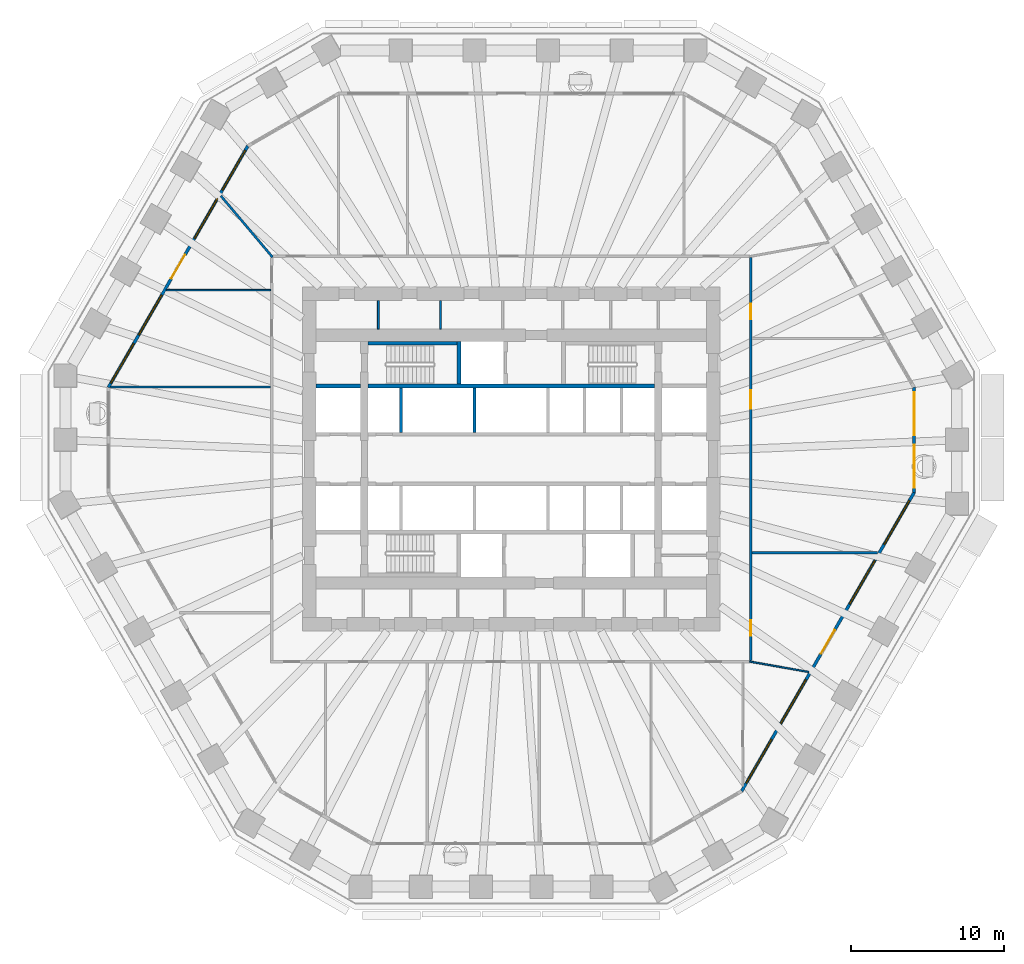
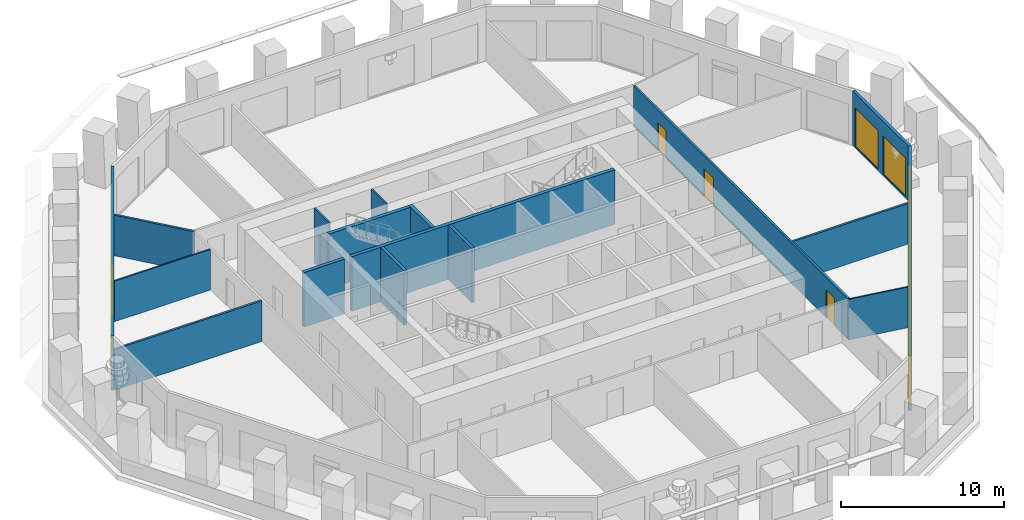
# One storey, part 6 of 12: 17 walls, 12 windows, 5 doors, 17 openings.
"""IFC4 building model written with IfcOpenShell, lengths in metres."""

from ifc_helpers import new_model, si_unit, direction, frame, frame_2d, origin, place, context, subcontext, project, spatial, polyline, rectangle, outline, extrude, material, layer, layer_set, type_object, element, fill, save


model = new_model("IFC4")

# Units and contexts
model_context = context("Model", 3, precision=1e-05, world=origin(), true_north=direction((0.0, 1.0)))
body_context = subcontext(model_context, "Body", "Model", "MODEL_VIEW")
ifc_project = project(units=[si_unit("LENGTHUNIT", "METRE"), si_unit("AREAUNIT", "SQUARE_METRE"), si_unit("VOLUMEUNIT", "CUBIC_METRE"), si_unit("PLANEANGLEUNIT", "RADIAN"), si_unit("MASSUNIT", "GRAM", prefix="KILO")], contexts=[model_context])

# Site, building, storey
site_placement = place(None, origin())
site = spatial("IfcSite", under=ifc_project, at=site_placement, CompositionType="ELEMENT")
building_placement = place(site_placement, origin())
building = spatial("IfcBuilding", under=site, at=building_placement, Name="Frailejon Research Tower", CompositionType="ELEMENT")
storey_placement = place(building_placement, frame((0.0, 0.0, 54.199951171875)))
storey = spatial("IfcBuildingStorey", under=building, at=storey_placement, Name="L12", CompositionType="ELEMENT", Elevation=54.199951171875)

# Walls
ifc_material_1 = material(Name="Plasterboard on steel studs", Category="steel")
ifc_layer_1 = layer(ifc_material_1, 0.125)
ifc_layer_set_1 = layer_set([ifc_layer_1], Name="Core partition 125")
wall_type_1 = type_object("IfcWallType", Name="Core partition 125", PredefinedType="PARTITIONING", material=ifc_layer_set_1)
for number, where, z_axis, x_axis, name in (
    (1, (-8.6875, 8.5, 0.0), (0.0, 0.0, 1.0), (0.0, 1.0, 0.0), "Core partition"),
    (2, (-4.625, 8.5, 0.0), (0.0, 0.0, 1.0), (0.0, 1.0, 0.0), "Core partition"),
):
    element("IfcWall", number, at=place(storey_placement, frame(where, z_axis=z_axis, x_axis=x_axis)), inside=storey, type_object=wall_type_1, Name=name, PredefinedType="PARTITIONING", context=body_context, shape_type="SweptSolid", body=[
        extrude(rectangle(XDim=1.85009765625, YDim=0.125, at=frame_2d((0.925048828125, 0.0))), origin(), (0.0, 0.0, 1.0), 4.10009765625),
    ])

# Wall, openings, doors
ifc_material_2 = material(Name="Gypsum board and masonry partition", Category="masonry")
ifc_layer_2 = layer(ifc_material_2, 0.14990234375)
ifc_layer_set_2 = layer_set([ifc_layer_2], Name="Corridor wall EI 60, gypsum on steel studs 150")
wall_type_2 = type_object("IfcWallType", Name="Corridor wall EI 60, gypsum on steel studs 150", PredefinedType="PARTITIONING", material=ifc_layer_set_2)
wall_1_placement = place(storey_placement, frame((15.64990234375, -13.175048828125, 0.0), z_axis=(0.0, 0.0, 1.0), x_axis=(0.0, 1.0, 0.0)))
wall_1 = element("IfcWall", 3, at=wall_1_placement, inside=storey, type_object=wall_type_2, Name="T:IW:L12:001", PredefinedType="PARTITIONING", context=body_context, shape_type="SweptSolid", body=[
    extrude(rectangle(XDim=26.35009765625, YDim=0.14990234375, at=frame_2d((13.175048828125, 0.0))), origin(), (0.0, 0.0, 1.0), 3.050048828125),
])
opening_1_placement = place(wall_1_placement, frame((16.47265625, 0.0, 0.0)))
opening_1 = element("IfcOpeningElement", 4, at=opening_1_placement, cuts=wall_1, Name="Opening D1419", PredefinedType="OPENING", context=body_context, shape_type="SweptSolid", body=[
    extrude(rectangle(XDim=1.199951171875, YDim=2.10009765625, at=frame_2d((0.60009765625, 1.050048828125))), frame((0.0, 0.0849609375, 0.0), z_axis=(0.0, -1.0, 0.0), x_axis=(1.0, 0.0, 0.0)), (0.0, 0.0, 1.0), 0.169921875),
])
opening_2_placement = place(wall_1_placement, frame((22.318115234375, 0.0, 0.0)))
opening_2 = element("IfcOpeningElement", 5, at=opening_2_placement, cuts=wall_1, Name="Opening D1420", PredefinedType="OPENING", context=body_context, shape_type="SweptSolid", body=[
    extrude(rectangle(XDim=1.0, YDim=2.10009765625, at=frame_2d((0.5, 1.050048828125))), frame((0.0, 0.0849609375, 0.0), z_axis=(0.0, -1.0, 0.0), x_axis=(1.0, 0.0, 0.0)), (0.0, 0.0, 1.0), 0.169921875),
])
opening_3_placement = place(wall_1_placement, frame((1.629638671875, 0.0, 0.0)))
opening_3 = element("IfcOpeningElement", 6, at=opening_3_placement, cuts=wall_1, Name="Opening D1434", PredefinedType="OPENING", context=body_context, shape_type="SweptSolid", body=[
    extrude(rectangle(XDim=1.0, YDim=2.10009765625, at=frame_2d((0.5, 1.050048828125))), frame((0.0, 0.0849609375, 0.0), z_axis=(0.0, -1.0, 0.0), x_axis=(1.0, 0.0, 0.0)), (0.0, 0.0, 1.0), 0.169921875),
])
ifc_material_3 = material(Name="Timber door leaf", Category="wood")
door_type_1 = type_object("IfcDoorType", Name="Door laboratory, timber, vision panel 1200", OperationType="NOTDEFINED", PredefinedType="DOOR", material=ifc_material_3)
door_1_placement = place(opening_1_placement, origin())
door_1 = element("IfcDoor", 7, at=door_1_placement, inside=storey, type_object=door_type_1, Name="D1419", OperationType="DOUBLE_DOOR_SINGLE_SWING", OverallHeight=2.10009765625, OverallWidth=1.199951171875, PredefinedType="DOOR", context=body_context, shape_type="SweptSolid", body=[
    extrude(rectangle(XDim=1.199951171875, YDim=2.10009765625, at=frame_2d((0.60009765625, 1.050048828125))), frame((0.0, 0.02490234375, 0.0), z_axis=(0.0, -1.0, 0.0), x_axis=(1.0, 0.0, 0.0)), (0.0, 0.0, 1.0), 0.050048828125),
])
fill(opening_1, door_1)
ifc_material_4 = material(Name="Timber door leaf", Category="wood")
door_type_2 = type_object("IfcDoorType", Name="Door single leaf, timber, steel frame 1000", OperationType="NOTDEFINED", PredefinedType="DOOR", material=ifc_material_4)
door_2_placement = place(opening_2_placement, origin())
door_2 = element("IfcDoor", 8, at=door_2_placement, inside=storey, type_object=door_type_2, Name="D1420", OperationType="SINGLE_SWING_RIGHT", OverallHeight=2.10009765625, OverallWidth=1.0, PredefinedType="DOOR", context=body_context, shape_type="SweptSolid", body=[
    extrude(rectangle(XDim=1.0, YDim=2.10009765625, at=frame_2d((0.5, 1.050048828125))), frame((0.0, 0.02490234375, 0.0), z_axis=(0.0, -1.0, 0.0), x_axis=(1.0, 0.0, 0.0)), (0.0, 0.0, 1.0), 0.050048828125),
])
fill(opening_2, door_2)
door_3_placement = place(opening_3_placement, origin())
door_3 = element("IfcDoor", 9, at=door_3_placement, inside=storey, type_object=door_type_2, Name="D1434", OperationType="SINGLE_SWING_RIGHT", OverallHeight=2.10009765625, OverallWidth=1.0, PredefinedType="DOOR", context=body_context, shape_type="SweptSolid", body=[
    extrude(rectangle(XDim=1.0, YDim=2.10009765625, at=frame_2d((0.5, 1.050048828125))), frame((0.0, 0.02490234375, 0.0), z_axis=(0.0, -1.0, 0.0), x_axis=(1.0, 0.0, 0.0)), (0.0, 0.0, 1.0), 0.050048828125),
])
fill(opening_3, door_3)

# Walls
ifc_material_5 = material(Name="Gypsum board and masonry partition", Category="masonry")
ifc_layer_3 = layer(ifc_material_5, 0.14990234375)
ifc_layer_set_3 = layer_set([ifc_layer_3], Name="Laboratory partition, blockwork 150")
wall_type_3 = type_object("IfcWallType", Name="Laboratory partition, blockwork 150", PredefinedType="PARTITIONING", material=ifc_layer_set_3)
wall_2_placement = place(storey_placement, frame((15.72509765625, -6.1318359375, 0.0), z_axis=(0.0, 0.0, 1.0), x_axis=(1.0, 0.0, 0.0)))
element("IfcWall", 10, at=wall_2_placement, inside=storey, type_object=wall_type_3, Name="T:IW:L12:006", PredefinedType="PARTITIONING", context=body_context, shape_type="SweptSolid", body=[
    extrude(rectangle(XDim=8.216552734375, YDim=0.14990234375, at=frame_2d((4.1083984375, 0.0))), origin(), (0.0, 0.0, 1.0), 3.050048828125),
])
wall_3_placement = place(storey_placement, frame((-18.98388671875, 17.207763671875, 0.0), z_axis=(0.0, 0.0, 1.0), x_axis=(0.644237418537, -0.764825567405, 0.0)))
element("IfcWall", 11, at=wall_3_placement, inside=storey, type_object=wall_type_3, Name="T:IW:L12:010", PredefinedType="PARTITIONING", context=body_context, shape_type="SweptSolid", body=[
    extrude(rectangle(XDim=5.249755859375, YDim=0.14990234375, at=frame_2d((2.625, 0.0))), origin(), (0.0, 0.0, 1.0), 3.050048828125),
])
wall_4_placement = place(storey_placement, frame((-26.200439453125, 4.70849609375, 0.0), z_axis=(0.0, 0.0, 1.0), x_axis=(1.0, 0.0, 0.0)))
element("IfcWall", 12, at=wall_4_placement, inside=storey, type_object=wall_type_3, Name="T:IW:L12:011", PredefinedType="PARTITIONING", context=body_context, shape_type="SweptSolid", body=[
    extrude(rectangle(XDim=10.475341796875, YDim=0.14990234375, at=frame_2d((5.23779296875, 0.0))), origin(), (0.0, 0.0, 1.0), 3.050048828125),
])
ifc_material_6 = material(Name="Gypsum board and masonry partition", Category="masonry")
ifc_layer_4 = layer(ifc_material_6, 0.10009765625)
ifc_layer_set_4 = layer_set([ifc_layer_4], Name="Partition, gypsum on steel studs 100")
wall_type_4 = type_object("IfcWallType", Name="Partition, gypsum on steel studs 100", PredefinedType="PARTITIONING", material=ifc_layer_set_4)
wall_5_placement = place(storey_placement, frame((-22.545166015625, 11.03955078125, 0.0), z_axis=(0.0, 0.0, 1.0), x_axis=(1.0, 0.0, 0.0)))
element("IfcWall", 13, at=wall_5_placement, inside=storey, type_object=wall_type_4, Name="T:IW:L12:017", PredefinedType="PARTITIONING", context=body_context, shape_type="SweptSolid", body=[
    extrude(rectangle(XDim=6.820068359375, YDim=0.10009765625, at=frame_2d((3.41015625, 0.0))), origin(), (0.0, 0.0, 1.0), 3.050048828125),
])
wall_6_placement = place(storey_placement, frame((15.576171875, -13.237060546875, 0.0), z_axis=(0.0, 0.0, 1.0), x_axis=(0.984816067834, -0.173601015365, 0.0)))
element("IfcWall", 14, at=wall_6_placement, inside=storey, type_object=wall_type_4, Name="T:IW:L12:020", PredefinedType="PARTITIONING", context=body_context, shape_type="SweptSolid", body=[
    extrude(rectangle(XDim=3.92919921875, YDim=0.10009765625, at=frame_2d((1.964599609375, 0.0))), origin(), (0.0, 0.0, 1.0), 3.050048828125),
])
ifc_material_7 = material(Name="Concrete C70/85", Category="concrete")
ifc_layer_5 = layer(ifc_material_7, 0.199951171875)
ifc_layer_set_5 = layer_set([ifc_layer_5], Name="Shaft wall 200 C70/85")
wall_type_5 = type_object("IfcWallType", Name="Shaft wall 200 C70/85", PredefinedType="SOLIDWALL", material=ifc_layer_set_5)
for number, where, z_axis, x_axis, name in (
    (15, (-7.199951171875, 1.75, 0.0), (0.0, 0.0, 1.0), (0.0, 1.0, 0.0), "Shaft wall"),
    (16, (-2.39990234375, 1.75, 0.0), (0.0, 0.0, 1.0), (0.0, 1.0, 0.0), "Shaft wall"),
):
    element("IfcWall", number, at=place(storey_placement, frame(where, z_axis=z_axis, x_axis=x_axis)), inside=storey, type_object=wall_type_5, Name=name, PredefinedType="SOLIDWALL", context=body_context, shape_type="SweptSolid", body=[
        extrude(rectangle(XDim=2.89990234375, YDim=0.199951171875, at=frame_2d((1.449951171875, 0.0))), origin(), (0.0, 0.0, 1.0), 4.10009765625),
    ])
ifc_material_8 = material(Name="Concrete C70/85", Category="concrete")
ifc_layer_6 = layer(ifc_material_8, 0.25)
ifc_layer_set_6 = layer_set([ifc_layer_6], Name="Shaft wall 250 C70/85")
wall_type_6 = type_object("IfcWallType", Name="Shaft wall 250 C70/85", PredefinedType="SOLIDWALL", material=ifc_layer_set_6)
wall_7_placement = place(storey_placement, frame((-12.75, 4.77490234375, 0.0), z_axis=(0.0, 0.0, 1.0), x_axis=(1.0, 0.0, 0.0)))
element("IfcWall", 17, at=wall_7_placement, inside=storey, type_object=wall_type_6, Name="Shaft wall", PredefinedType="SOLIDWALL", context=body_context, shape_type="SweptSolid", body=[
    extrude(rectangle(XDim=2.89990234375, YDim=0.25, at=frame_2d((1.449951171875, 0.0))), origin(), (0.0, 0.0, 1.0), 4.10009765625),
])
wall_8_placement = place(storey_placement, frame((-9.35009765625, 4.77490234375, 0.0), z_axis=(0.0, 0.0, 1.0), x_axis=(1.0, 0.0, 0.0)))
element("IfcWall", 18, at=wall_8_placement, inside=storey, type_object=wall_type_6, Name="Shaft wall", PredefinedType="SOLIDWALL", context=body_context, shape_type="SweptSolid", body=[
    extrude(rectangle(XDim=18.7001953125, YDim=0.25, at=frame_2d((9.35009765625, 0.0))), origin(), (0.0, 0.0, 1.0), 4.10009765625),
])
wall_9_placement = place(storey_placement, frame((-9.35009765625, 7.574951171875, 0.0), z_axis=(0.0, 0.0, 1.0), x_axis=(1.0, 0.0, 0.0)))
element("IfcWall", 19, at=wall_9_placement, inside=storey, type_object=wall_type_6, Name="Shaft wall", PredefinedType="SOLIDWALL", context=body_context, shape_type="SweptSolid", body=[
    extrude(rectangle(XDim=5.800048828125, YDim=0.25, at=frame_2d((2.89990234375, 0.0))), origin(), (0.0, 0.0, 1.0), 4.10009765625),
])
wall_10_placement = place(storey_placement, frame((-3.425048828125, 4.89990234375, 0.0), z_axis=(0.0, 0.0, 1.0), x_axis=(0.0, 1.0, 0.0)))
element("IfcWall", 20, at=wall_10_placement, inside=storey, type_object=wall_type_6, Name="Shaft wall", PredefinedType="SOLIDWALL", context=body_context, shape_type="SweptSolid", body=[
    extrude(rectangle(XDim=2.800048828125, YDim=0.25, at=frame_2d((1.39990234375, 0.0))), origin(), (0.0, 0.0, 1.0), 4.10009765625),
])

# Wall, openings, windows
ifc_material_9 = material(Name="Concrete C40/50 precast window wall panel", Category="concrete")
ifc_layer_7 = layer(ifc_material_9, 0.199951171875)
ifc_layer_set_7 = layer_set([ifc_layer_7], Name="Window wall 200")
wall_type_7 = type_object("IfcWallType", Name="Window wall 200", PredefinedType="SOLIDWALL", material=ifc_layer_set_7)
wall_11_placement = place(storey_placement, frame((26.331298828125, -2.19287109375, 0.0), z_axis=(0.0, 0.0, 1.0), x_axis=(0.0, 1.0, 0.0)))
wall_11 = element("IfcWall", 21, at=wall_11_placement, inside=storey, type_object=wall_type_7, Name="Exterior wall L12", PredefinedType="SOLIDWALL", context=body_context, shape_type="SweptSolid", body=[
    extrude(outline(polyline([(-0.02685546875, -0.10009765625), (1.1279296875, -0.10009765625), (2.28271484375, -0.10009765625), (3.4375, -0.10009765625), (4.592041015625, -0.10009765625), (5.746826171875, -0.10009765625), (6.901611328125, -0.10009765625), (6.847900390625, 0.10009765625), (5.7109375, 0.10009765625), (4.57421875, 0.10009765625), (3.4375, 0.10009765625), (2.300537109375, 0.10009765625), (1.16357421875, 0.10009765625), (0.02685546875, 0.10009765625), (-0.02685546875, -0.10009765625)])), origin(), (0.0, 0.0, 1.0), 4.10009765625),
])
opening_4_placement = place(wall_11_placement, frame((0.318603515625, 0.0, 0.10009765625)))
opening_4 = element("IfcOpeningElement", 22, at=opening_4_placement, cuts=wall_11, Name="Opening W3", PredefinedType="OPENING", context=body_context, shape_type="SweptSolid", body=[
    extrude(rectangle(XDim=2.800048828125, YDim=2.89990234375, at=frame_2d((1.39990234375, 1.449951171875))), frame((0.0, 0.10986328125, 0.0), z_axis=(0.0, -1.0, 0.0), x_axis=(1.0, 0.0, 0.0)), (0.0, 0.0, 1.0), 0.219970703125),
])
opening_5_placement = place(wall_11_placement, frame((3.756103515625, 0.0, 0.10009765625)))
opening_5 = element("IfcOpeningElement", 23, at=opening_5_placement, cuts=wall_11, Name="Opening W3", PredefinedType="OPENING", context=body_context, shape_type="SweptSolid", body=[
    extrude(rectangle(XDim=2.800048828125, YDim=2.89990234375, at=frame_2d((1.39990234375, 1.449951171875))), frame((0.0, 0.10986328125, 0.0), z_axis=(0.0, -1.0, 0.0), x_axis=(1.0, 0.0, 0.0)), (0.0, 0.0, 1.0), 0.219970703125),
])
ifc_material_10 = material(Name="Aluminium framed double glazing", Category="aluminium")
window_type_1 = type_object("IfcWindowType", Name="Window 2800x2900", PartitioningType="SINGLE_PANEL", PredefinedType="WINDOW", material=ifc_material_10)
window_1_placement = place(opening_4_placement, origin())
window_1 = element("IfcWindow", 24, at=window_1_placement, inside=storey, type_object=window_type_1, Name="Window L12", OverallHeight=2.89990234375, OverallWidth=2.800048828125, PartitioningType="SINGLE_PANEL", PredefinedType="WINDOW", context=body_context, shape_type="SweptSolid", body=[
    extrude(rectangle(XDim=2.800048828125, YDim=2.89990234375, at=frame_2d((1.39990234375, 1.449951171875))), frame((0.0, 0.030029296875, 0.0), z_axis=(0.0, -1.0, 0.0), x_axis=(1.0, 0.0, 0.0)), (0.0, 0.0, 1.0), 0.06005859375),
])
fill(opening_4, window_1)
window_2_placement = place(opening_5_placement, origin())
window_2 = element("IfcWindow", 25, at=window_2_placement, inside=storey, type_object=window_type_1, Name="Window L12", OverallHeight=2.89990234375, OverallWidth=2.800048828125, PartitioningType="SINGLE_PANEL", PredefinedType="WINDOW", context=body_context, shape_type="SweptSolid", body=[
    extrude(rectangle(XDim=2.800048828125, YDim=2.89990234375, at=frame_2d((1.39990234375, 1.449951171875))), frame((0.0, 0.030029296875, 0.0), z_axis=(0.0, -1.0, 0.0), x_axis=(1.0, 0.0, 0.0)), (0.0, 0.0, 1.0), 0.06005859375),
])
fill(opening_5, window_2)

# Wall, openings, door, windows
wall_12_placement = place(storey_placement, frame((-17.22021484375, 20.462646484375, 0.0), z_axis=(0.0, 0.0, 1.0), x_axis=(-0.500002344326, -0.866024050283, 0.0)))
wall_12 = element("IfcWall", 26, at=wall_12_placement, inside=storey, type_object=wall_type_7, Name="Exterior wall L12", PredefinedType="SOLIDWALL", context=body_context, shape_type="SweptSolid", body=[
    extrude(outline(polyline([(-0.02685546875, -0.10009765625), (0.988525390625, -0.10009765625), (2.00390625, -0.10009765625), (3.01904296875, -0.10009765625), (4.034423828125, -0.10009765625), (5.0498046875, -0.10009765625), (6.065185546875, -0.10009765625), (7.080322265625, -0.10009765625), (8.095703125, -0.10009765625), (9.111083984375, -0.10009765625), (10.12646484375, -0.10009765625), (11.141845703125, -0.10009765625), (12.156982421875, -0.10009765625), (13.17236328125, -0.10009765625), (14.187744140625, -0.10009765625), (15.203125, -0.10009765625), (16.21826171875, -0.10009765625), (17.233642578125, -0.10009765625), (18.2490234375, -0.10009765625), (18.1953125, 0.10009765625), (17.18603515625, 0.10009765625), (16.176513671875, 0.10009765625), (15.167236328125, 0.10009765625), (14.157958984375, 0.10009765625), (13.1484375, 0.10009765625), (12.13916015625, 0.10009765625), (11.1298828125, 0.10009765625), (10.120361328125, 0.10009765625), (9.111083984375, 0.10009765625), (8.101806640625, 0.10009765625), (7.09228515625, 0.10009765625), (6.0830078125, 0.10009765625), (5.07373046875, 0.10009765625), (4.064208984375, 0.10009765625), (3.054931640625, 0.10009765625), (2.045654296875, 0.10009765625), (1.0361328125, 0.10009765625), (0.02685546875, 0.10009765625), (-0.02685546875, -0.10009765625)])), origin(), (0.0, 0.0, 1.0), 4.10009765625),
])
opening_6_placement = place(wall_12_placement, frame((0.322265625, 0.0, 0.10009765625)))
opening_6 = element("IfcOpeningElement", 27, at=opening_6_placement, cuts=wall_12, Name="Opening W4", PredefinedType="OPENING", context=body_context, shape_type="SweptSolid", body=[
    extrude(rectangle(XDim=3.0, YDim=2.89990234375, at=frame_2d((1.5, 1.449951171875))), frame((0.0, 0.10986328125, 0.0), z_axis=(0.0, -1.0, 0.0), x_axis=(1.0, 0.0, 0.0)), (0.0, 0.0, 1.0), 0.219970703125),
])
opening_7_placement = place(wall_12_placement, frame((3.966796875, 0.0, 0.10009765625)))
opening_7 = element("IfcOpeningElement", 28, at=opening_7_placement, cuts=wall_12, Name="Opening W4", PredefinedType="OPENING", context=body_context, shape_type="SweptSolid", body=[
    extrude(rectangle(XDim=3.0, YDim=2.89990234375, at=frame_2d((1.5, 1.449951171875))), frame((0.0, 0.10986328125, 0.0), z_axis=(0.0, -1.0, 0.0), x_axis=(1.0, 0.0, 0.0)), (0.0, 0.0, 1.0), 0.219970703125),
])
opening_8_placement = place(wall_12_placement, frame((8.211181640625, 0.0, 0.0)))
opening_8 = element("IfcOpeningElement", 29, at=opening_8_placement, cuts=wall_12, Name="Opening LG12-3", PredefinedType="OPENING", context=body_context, shape_type="SweptSolid", body=[
    extrude(rectangle(XDim=1.800048828125, YDim=2.39990234375, at=frame_2d((0.89990234375, 1.199951171875))), frame((0.0, 0.10986328125, 0.0), z_axis=(0.0, -1.0, 0.0), x_axis=(1.0, 0.0, 0.0)), (0.0, 0.0, 1.0), 0.219970703125),
])
opening_9_placement = place(wall_12_placement, frame((8.211181640625, 0.0, 2.550048828125)))
opening_9 = element("IfcOpeningElement", 30, at=opening_9_placement, cuts=wall_12, Name="Opening W1", PredefinedType="OPENING", context=body_context, shape_type="SweptSolid", body=[
    extrude(rectangle(XDim=1.800048828125, YDim=0.449951171875, at=frame_2d((0.89990234375, 0.22509765625))), frame((0.0, 0.10986328125, 0.0), z_axis=(0.0, -1.0, 0.0), x_axis=(1.0, 0.0, 0.0)), (0.0, 0.0, 1.0), 0.219970703125),
])
opening_10_placement = place(wall_12_placement, frame((11.255615234375, 0.0, 0.10009765625)))
opening_10 = element("IfcOpeningElement", 31, at=opening_10_placement, cuts=wall_12, Name="Opening W4", PredefinedType="OPENING", context=body_context, shape_type="SweptSolid", body=[
    extrude(rectangle(XDim=3.0, YDim=2.89990234375, at=frame_2d((1.5, 1.449951171875))), frame((0.0, 0.10986328125, 0.0), z_axis=(0.0, -1.0, 0.0), x_axis=(1.0, 0.0, 0.0)), (0.0, 0.0, 1.0), 0.219970703125),
])
opening_11_placement = place(wall_12_placement, frame((14.89990234375, 0.0, 0.10009765625)))
opening_11 = element("IfcOpeningElement", 32, at=opening_11_placement, cuts=wall_12, Name="Opening W4", PredefinedType="OPENING", context=body_context, shape_type="SweptSolid", body=[
    extrude(rectangle(XDim=3.0, YDim=2.89990234375, at=frame_2d((1.5, 1.449951171875))), frame((0.0, 0.10986328125, 0.0), z_axis=(0.0, -1.0, 0.0), x_axis=(1.0, 0.0, 0.0)), (0.0, 0.0, 1.0), 0.219970703125),
])
ifc_material_11 = material(Name="Aluminium framed glazed door leaf", Category="aluminium")
door_type_3 = type_object("IfcDoorType", Name="Loggia door 1800x2400", OperationType="DOUBLE_DOOR_SINGLE_SWING", PredefinedType="DOOR", material=ifc_material_11)
door_4_placement = place(opening_8_placement, origin())
door_4 = element("IfcDoor", 33, at=door_4_placement, inside=storey, type_object=door_type_3, Name="Door LG12-3", OperationType="DOUBLE_DOOR_SINGLE_SWING", OverallHeight=2.39990234375, OverallWidth=1.800048828125, PredefinedType="DOOR", context=body_context, shape_type="SweptSolid", body=[
    extrude(rectangle(XDim=1.800048828125, YDim=2.39990234375, at=frame_2d((0.89990234375, 1.199951171875))), frame((0.0, 0.02490234375, 0.0), z_axis=(0.0, -1.0, 0.0), x_axis=(1.0, 0.0, 0.0)), (0.0, 0.0, 1.0), 0.050048828125),
])
fill(opening_8, door_4)
ifc_material_12 = material(Name="Aluminium framed double glazing", Category="aluminium")
window_type_2 = type_object("IfcWindowType", Name="Window 1800x450", PartitioningType="SINGLE_PANEL", PredefinedType="WINDOW", material=ifc_material_12)
window_3_placement = place(opening_9_placement, origin())
window_3 = element("IfcWindow", 34, at=window_3_placement, inside=storey, type_object=window_type_2, Name="Window L12", OverallHeight=0.449951171875, OverallWidth=1.800048828125, PartitioningType="SINGLE_PANEL", PredefinedType="WINDOW", context=body_context, shape_type="SweptSolid", body=[
    extrude(rectangle(XDim=1.800048828125, YDim=0.449951171875, at=frame_2d((0.89990234375, 0.22509765625))), frame((0.0, 0.030029296875, 0.0), z_axis=(0.0, -1.0, 0.0), x_axis=(1.0, 0.0, 0.0)), (0.0, 0.0, 1.0), 0.06005859375),
])
fill(opening_9, window_3)
ifc_material_13 = material(Name="Aluminium framed double glazing", Category="aluminium")
window_type_3 = type_object("IfcWindowType", Name="Window 3000x2900", PartitioningType="SINGLE_PANEL", PredefinedType="WINDOW", material=ifc_material_13)
window_4_placement = place(opening_6_placement, origin())
window_4 = element("IfcWindow", 35, at=window_4_placement, inside=storey, type_object=window_type_3, Name="Window L12", OverallHeight=2.89990234375, OverallWidth=3.0, PartitioningType="SINGLE_PANEL", PredefinedType="WINDOW", context=body_context, shape_type="SweptSolid", body=[
    extrude(rectangle(XDim=3.0, YDim=2.89990234375, at=frame_2d((1.5, 1.449951171875))), frame((0.0, 0.030029296875, 0.0), z_axis=(0.0, -1.0, 0.0), x_axis=(1.0, 0.0, 0.0)), (0.0, 0.0, 1.0), 0.06005859375),
])
fill(opening_6, window_4)
window_5_placement = place(opening_7_placement, origin())
window_5 = element("IfcWindow", 36, at=window_5_placement, inside=storey, type_object=window_type_3, Name="Window L12", OverallHeight=2.89990234375, OverallWidth=3.0, PartitioningType="SINGLE_PANEL", PredefinedType="WINDOW", context=body_context, shape_type="SweptSolid", body=[
    extrude(rectangle(XDim=3.0, YDim=2.89990234375, at=frame_2d((1.5, 1.449951171875))), frame((0.0, 0.030029296875, 0.0), z_axis=(0.0, -1.0, 0.0), x_axis=(1.0, 0.0, 0.0)), (0.0, 0.0, 1.0), 0.06005859375),
])
fill(opening_7, window_5)
window_6_placement = place(opening_10_placement, origin())
window_6 = element("IfcWindow", 37, at=window_6_placement, inside=storey, type_object=window_type_3, Name="Window L12", OverallHeight=2.89990234375, OverallWidth=3.0, PartitioningType="SINGLE_PANEL", PredefinedType="WINDOW", context=body_context, shape_type="SweptSolid", body=[
    extrude(rectangle(XDim=3.0, YDim=2.89990234375, at=frame_2d((1.5, 1.449951171875))), frame((0.0, 0.030029296875, 0.0), z_axis=(0.0, -1.0, 0.0), x_axis=(1.0, 0.0, 0.0)), (0.0, 0.0, 1.0), 0.06005859375),
])
fill(opening_10, window_6)
window_7_placement = place(opening_11_placement, origin())
window_7 = element("IfcWindow", 38, at=window_7_placement, inside=storey, type_object=window_type_3, Name="Window L12", OverallHeight=2.89990234375, OverallWidth=3.0, PartitioningType="SINGLE_PANEL", PredefinedType="WINDOW", context=body_context, shape_type="SweptSolid", body=[
    extrude(rectangle(XDim=3.0, YDim=2.89990234375, at=frame_2d((1.5, 1.449951171875))), frame((0.0, 0.030029296875, 0.0), z_axis=(0.0, -1.0, 0.0), x_axis=(1.0, 0.0, 0.0)), (0.0, 0.0, 1.0), 0.06005859375),
])
fill(opening_11, window_7)

wall_13_placement = place(storey_placement, frame((15.064697265625, -21.707275390625, 0.0), z_axis=(0.0, 0.0, 1.0), x_axis=(0.499998501835, 0.866026268748, 0.0)))
wall_13 = element("IfcWall", 39, at=wall_13_placement, inside=storey, type_object=wall_type_7, Name="Exterior wall L12", PredefinedType="SOLIDWALL", context=body_context, shape_type="SweptSolid", body=[
    extrude(outline(polyline([(-0.02685546875, -0.10009765625), (0.999755859375, -0.10009765625), (2.026611328125, -0.10009765625), (3.05322265625, -0.10009765625), (4.079833984375, -0.10009765625), (5.1064453125, -0.10009765625), (6.13330078125, -0.10009765625), (7.159912109375, -0.10009765625), (8.1865234375, -0.10009765625), (9.213134765625, -0.10009765625), (10.239990234375, -0.10009765625), (11.2666015625, -0.10009765625), (12.293212890625, -0.10009765625), (13.320068359375, -0.10009765625), (14.3466796875, -0.10009765625), (15.373291015625, -0.10009765625), (16.39990234375, -0.10009765625), (17.4267578125, -0.10009765625), (18.453369140625, -0.10009765625), (19.47998046875, -0.10009765625), (20.506591796875, -0.10009765625), (21.533447265625, -0.10009765625), (22.56005859375, -0.10009765625), (22.50634765625, 0.10009765625), (21.484619140625, 0.10009765625), (20.462646484375, 0.10009765625), (19.44091796875, 0.10009765625), (18.419189453125, 0.10009765625), (17.3974609375, 0.10009765625), (16.37548828125, 0.10009765625), (15.353759765625, 0.10009765625), (14.33203125, 0.10009765625), (13.310302734375, 0.10009765625), (12.288330078125, 0.10009765625), (11.2666015625, 0.10009765625), (10.244873046875, 0.10009765625), (9.222900390625, 0.10009765625), (8.201171875, 0.10009765625), (7.179443359375, 0.10009765625), (6.15771484375, 0.10009765625), (5.1357421875, 0.10009765625), (4.114013671875, 0.10009765625), (3.09228515625, 0.10009765625), (2.070556640625, 0.10009765625), (1.048583984375, 0.10009765625), (0.02685546875, 0.10009765625), (-0.02685546875, -0.10009765625)])), origin(), (0.0, 0.0, 1.0), 4.10009765625),
])
opening_12_placement = place(wall_13_placement, frame((0.603271484375, 0.0, 0.10009765625)))
opening_12 = element("IfcOpeningElement", 40, at=opening_12_placement, cuts=wall_13, Name="Opening W5", PredefinedType="OPENING", context=body_context, shape_type="SweptSolid", body=[
    extrude(rectangle(XDim=3.300048828125, YDim=2.89990234375, at=frame_2d((1.64990234375, 1.449951171875))), frame((0.0, 0.10986328125, 0.0), z_axis=(0.0, -1.0, 0.0), x_axis=(1.0, 0.0, 0.0)), (0.0, 0.0, 1.0), 0.219970703125),
])
opening_13_placement = place(wall_13_placement, frame((5.110107421875, 0.0, 0.10009765625)))
opening_13 = element("IfcOpeningElement", 41, at=opening_13_placement, cuts=wall_13, Name="Opening W5", PredefinedType="OPENING", context=body_context, shape_type="SweptSolid", body=[
    extrude(rectangle(XDim=3.300048828125, YDim=2.89990234375, at=frame_2d((1.64990234375, 1.449951171875))), frame((0.0, 0.10986328125, 0.0), z_axis=(0.0, -1.0, 0.0), x_axis=(1.0, 0.0, 0.0)), (0.0, 0.0, 1.0), 0.219970703125),
])
opening_14_placement = place(wall_13_placement, frame((10.36669921875, 0.0, 0.0)))
opening_14 = element("IfcOpeningElement", 42, at=opening_14_placement, cuts=wall_13, Name="Opening LG12-6", PredefinedType="OPENING", context=body_context, shape_type="SweptSolid", body=[
    extrude(rectangle(XDim=1.800048828125, YDim=2.39990234375, at=frame_2d((0.89990234375, 1.199951171875))), frame((0.0, 0.10986328125, 0.0), z_axis=(0.0, -1.0, 0.0), x_axis=(1.0, 0.0, 0.0)), (0.0, 0.0, 1.0), 0.219970703125),
])
opening_15_placement = place(wall_13_placement, frame((10.36669921875, 0.0, 2.550048828125)))
opening_15 = element("IfcOpeningElement", 43, at=opening_15_placement, cuts=wall_13, Name="Opening W1", PredefinedType="OPENING", context=body_context, shape_type="SweptSolid", body=[
    extrude(rectangle(XDim=1.800048828125, YDim=0.449951171875, at=frame_2d((0.89990234375, 0.22509765625))), frame((0.0, 0.10986328125, 0.0), z_axis=(0.0, -1.0, 0.0), x_axis=(1.0, 0.0, 0.0)), (0.0, 0.0, 1.0), 0.219970703125),
])
opening_16_placement = place(wall_13_placement, frame((14.123291015625, 0.0, 0.10009765625)))
opening_16 = element("IfcOpeningElement", 44, at=opening_16_placement, cuts=wall_13, Name="Opening W5", PredefinedType="OPENING", context=body_context, shape_type="SweptSolid", body=[
    extrude(rectangle(XDim=3.300048828125, YDim=2.89990234375, at=frame_2d((1.64990234375, 1.449951171875))), frame((0.0, 0.10986328125, 0.0), z_axis=(0.0, -1.0, 0.0), x_axis=(1.0, 0.0, 0.0)), (0.0, 0.0, 1.0), 0.219970703125),
])
opening_17_placement = place(wall_13_placement, frame((18.6298828125, 0.0, 0.10009765625)))
opening_17 = element("IfcOpeningElement", 45, at=opening_17_placement, cuts=wall_13, Name="Opening W5", PredefinedType="OPENING", context=body_context, shape_type="SweptSolid", body=[
    extrude(rectangle(XDim=3.300048828125, YDim=2.89990234375, at=frame_2d((1.64990234375, 1.449951171875))), frame((0.0, 0.10986328125, 0.0), z_axis=(0.0, -1.0, 0.0), x_axis=(1.0, 0.0, 0.0)), (0.0, 0.0, 1.0), 0.219970703125),
])
door_5_placement = place(opening_14_placement, origin())
door_5 = element("IfcDoor", 46, at=door_5_placement, inside=storey, type_object=door_type_3, Name="Door LG12-6", OperationType="DOUBLE_DOOR_SINGLE_SWING", OverallHeight=2.39990234375, OverallWidth=1.800048828125, PredefinedType="DOOR", context=body_context, shape_type="SweptSolid", body=[
    extrude(rectangle(XDim=1.800048828125, YDim=2.39990234375, at=frame_2d((0.89990234375, 1.199951171875))), frame((0.0, 0.02490234375, 0.0), z_axis=(0.0, -1.0, 0.0), x_axis=(1.0, 0.0, 0.0)), (0.0, 0.0, 1.0), 0.050048828125),
])
fill(opening_14, door_5)
window_8_placement = place(opening_15_placement, origin())
window_8 = element("IfcWindow", 47, at=window_8_placement, inside=storey, type_object=window_type_2, Name="Window L12", OverallHeight=0.449951171875, OverallWidth=1.800048828125, PartitioningType="SINGLE_PANEL", PredefinedType="WINDOW", context=body_context, shape_type="SweptSolid", body=[
    extrude(rectangle(XDim=1.800048828125, YDim=0.449951171875, at=frame_2d((0.89990234375, 0.22509765625))), frame((0.0, 0.030029296875, 0.0), z_axis=(0.0, -1.0, 0.0), x_axis=(1.0, 0.0, 0.0)), (0.0, 0.0, 1.0), 0.06005859375),
])
fill(opening_15, window_8)
ifc_material_14 = material(Name="Aluminium framed double glazing", Category="aluminium")
window_type_4 = type_object("IfcWindowType", Name="Window 3300x2900", PartitioningType="SINGLE_PANEL", PredefinedType="WINDOW", material=ifc_material_14)
window_9_placement = place(opening_12_placement, origin())
window_9 = element("IfcWindow", 48, at=window_9_placement, inside=storey, type_object=window_type_4, Name="Window L12", OverallHeight=2.89990234375, OverallWidth=3.300048828125, PartitioningType="SINGLE_PANEL", PredefinedType="WINDOW", context=body_context, shape_type="SweptSolid", body=[
    extrude(rectangle(XDim=3.300048828125, YDim=2.89990234375, at=frame_2d((1.64990234375, 1.449951171875))), frame((0.0, 0.030029296875, 0.0), z_axis=(0.0, -1.0, 0.0), x_axis=(1.0, 0.0, 0.0)), (0.0, 0.0, 1.0), 0.06005859375),
])
fill(opening_12, window_9)
window_10_placement = place(opening_13_placement, origin())
window_10 = element("IfcWindow", 49, at=window_10_placement, inside=storey, type_object=window_type_4, Name="Window L12", OverallHeight=2.89990234375, OverallWidth=3.300048828125, PartitioningType="SINGLE_PANEL", PredefinedType="WINDOW", context=body_context, shape_type="SweptSolid", body=[
    extrude(rectangle(XDim=3.300048828125, YDim=2.89990234375, at=frame_2d((1.64990234375, 1.449951171875))), frame((0.0, 0.030029296875, 0.0), z_axis=(0.0, -1.0, 0.0), x_axis=(1.0, 0.0, 0.0)), (0.0, 0.0, 1.0), 0.06005859375),
])
fill(opening_13, window_10)
window_11_placement = place(opening_16_placement, origin())
window_11 = element("IfcWindow", 50, at=window_11_placement, inside=storey, type_object=window_type_4, Name="Window L12", OverallHeight=2.89990234375, OverallWidth=3.300048828125, PartitioningType="SINGLE_PANEL", PredefinedType="WINDOW", context=body_context, shape_type="SweptSolid", body=[
    extrude(rectangle(XDim=3.300048828125, YDim=2.89990234375, at=frame_2d((1.64990234375, 1.449951171875))), frame((0.0, 0.030029296875, 0.0), z_axis=(0.0, -1.0, 0.0), x_axis=(1.0, 0.0, 0.0)), (0.0, 0.0, 1.0), 0.06005859375),
])
fill(opening_16, window_11)
window_12_placement = place(opening_17_placement, origin())
window_12 = element("IfcWindow", 51, at=window_12_placement, inside=storey, type_object=window_type_4, Name="Window L12", OverallHeight=2.89990234375, OverallWidth=3.300048828125, PartitioningType="SINGLE_PANEL", PredefinedType="WINDOW", context=body_context, shape_type="SweptSolid", body=[
    extrude(rectangle(XDim=3.300048828125, YDim=2.89990234375, at=frame_2d((1.64990234375, 1.449951171875))), frame((0.0, 0.030029296875, 0.0), z_axis=(0.0, -1.0, 0.0), x_axis=(1.0, 0.0, 0.0)), (0.0, 0.0, 1.0), 0.06005859375),
])
fill(opening_17, window_12)

save(model, "model.ifc")
